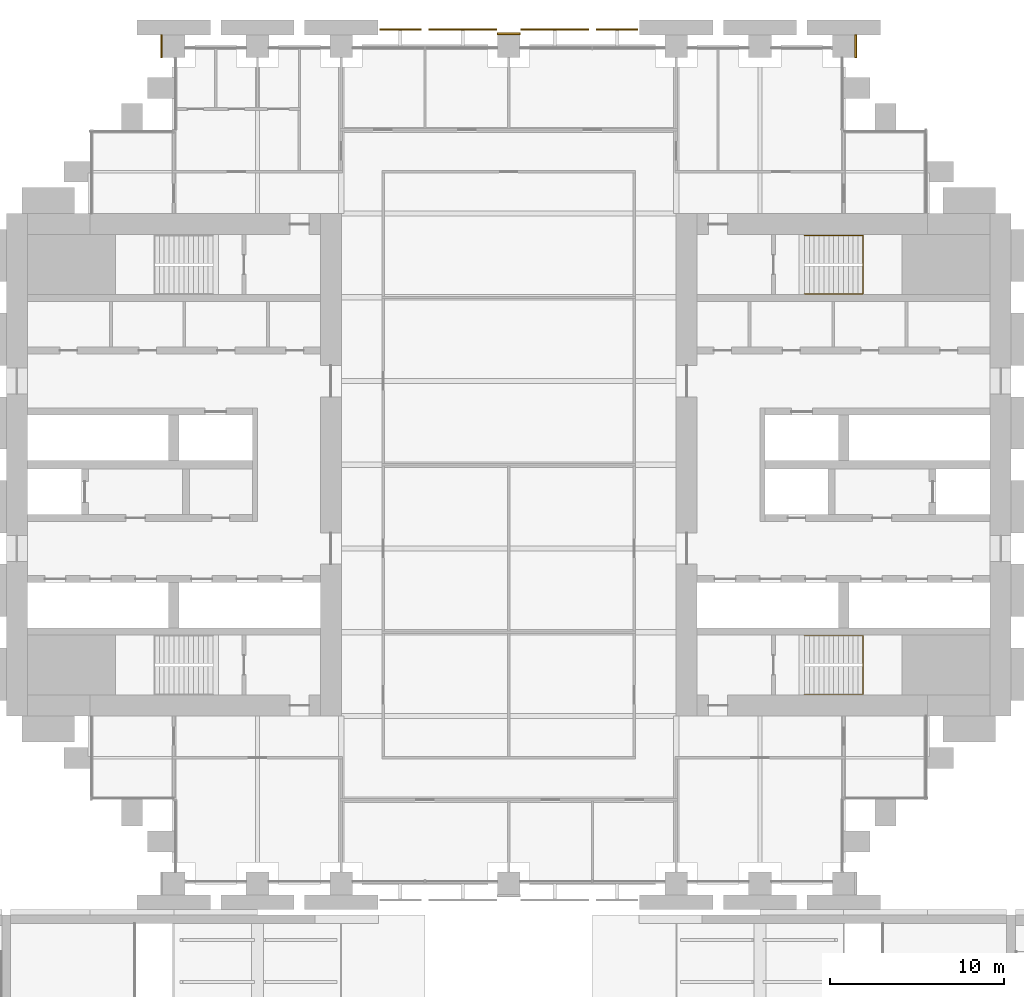
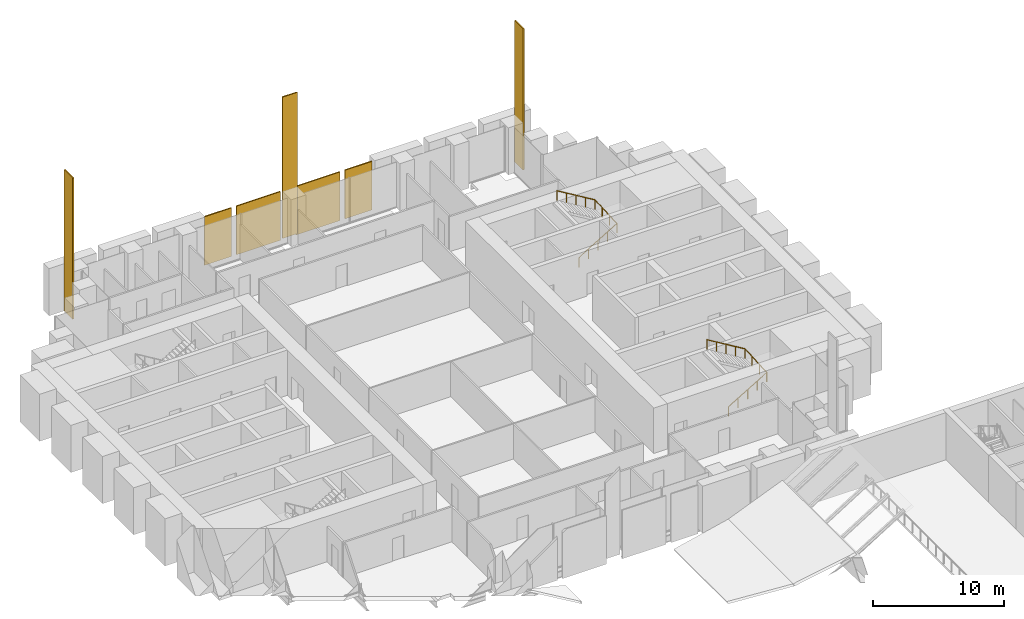
# One storey, part 32 of 32: 7 coverings, 2 railings.
"""IFC4 building model written with IfcOpenShell, lengths in metres."""

import ifcopenshell
import ifcopenshell.guid

model = None  # the IFC model being written
_history = None  # IfcOwnerHistory: only IFC2X3 demands one
_inside = {}  # id of a spatial element -> (the spatial element, [elements in it])
_under = {}  # id of a project, library or spatial element -> (it, [spatial elements below it])
_declared = {}  # id of a project -> (the project, [libraries it declares])
_typed = {}  # id of a type object -> (the type object, [elements of that type])
_made_of = {}  # id of a material, layer set ... -> (it, [elements and type objects made of it])


def new_model(schema):
    """Start an empty IFC model of exactly this schema.

    Asked for "IFC4X3", IfcOpenShell would pick the latest addendum, in which some entities
    have other attributes; the version numbers below select the first issue.
    IFC2X3 requires an IfcOwnerHistory on every rooted entity: one is made here for all.
    """
    global model, _history
    if schema == "IFC4X3":
        model = ifcopenshell.file(schema_version=(4, 3, 0, 0))
    else:
        model = ifcopenshell.file(schema=schema)
    _inside.clear()
    _under.clear()
    _declared.clear()
    _typed.clear()
    _made_of.clear()
    _history = None
    if model.schema == "IFC2X3":
        org = make("IfcOrganization", Name="unknown")
        user = make(
            "IfcPersonAndOrganization",
            ThePerson=make("IfcPerson", FamilyName="unknown"),
            TheOrganization=org,
        )
        app = make(
            "IfcApplication",
            ApplicationDeveloper=org,
            Version="unknown",
            ApplicationFullName="unknown",
            ApplicationIdentifier="unknown",
        )
        _history = make(
            "IfcOwnerHistory",
            OwningUser=user,
            OwningApplication=app,
            ChangeAction="ADDED",
            CreationDate=0,
        )
    return model


def make(cls, **values):
    """One entity of the class cls with the attributes given. An attribute that is None is left unset."""
    return model.create_entity(
        cls, **{name: value for name, value in values.items() if value is not None}
    )


def rooted(cls, **values):
    """An entity with a GlobalId (a new one), such as an element, a storey or a relation."""
    return make(cls, GlobalId=ifcopenshell.guid.new(), OwnerHistory=_history, **values)


def si_unit(unit_type, name, prefix=None):
    """IfcSIUnit, for example si_unit("LENGTHUNIT", "METRE", prefix="MILLI")."""
    return make("IfcSIUnit", UnitType=unit_type, Prefix=prefix, Name=name)


def assignment(units):
    """IfcUnitAssignment: the units of a project."""
    return None if units is None else make("IfcUnitAssignment", Units=units)


def point(xyz):
    """IfcCartesianPoint."""
    return None if xyz is None else make("IfcCartesianPoint", Coordinates=xyz)


def direction(xyz):
    """IfcDirection."""
    return None if xyz is None else make("IfcDirection", DirectionRatios=xyz)


def frame(location, z_axis=None, x_axis=None):
    """IfcAxis2Placement3D, a coordinate frame: its origin and axes. An axis left out is left unset."""
    return make(
        "IfcAxis2Placement3D",
        Location=point(location),
        Axis=direction(z_axis),
        RefDirection=direction(x_axis),
    )


def frame_2d(location, x_axis=None):
    """IfcAxis2Placement2D, a coordinate frame in the plane: its origin and x axis."""
    return make(
        "IfcAxis2Placement2D", Location=point(location), RefDirection=direction(x_axis)
    )


def origin():
    """The frame at (0, 0, 0) with its axes left unset."""
    return frame((0.0, 0.0, 0.0))


def origin_2d():
    """The frame at (0, 0) in the plane with its x axis left unset."""
    return frame_2d((0.0, 0.0))


def place(relative_to, where):
    """IfcLocalPlacement: puts the frame where relative to a parent placement (None: the world)."""
    return make(
        "IfcLocalPlacement", PlacementRelTo=relative_to, RelativePlacement=where
    )


def context(
    kind, dimensions, precision=None, world=None, true_north=None, identifier=None
):
    """IfcGeometricRepresentationContext, for example the 3D "Model" context."""
    return make(
        "IfcGeometricRepresentationContext",
        ContextIdentifier=identifier,
        ContextType=kind,
        CoordinateSpaceDimension=dimensions,
        Precision=precision,
        WorldCoordinateSystem=world,
        TrueNorth=true_north,
    )


def subcontext(parent, identifier, kind, view, scale=None):
    """IfcGeometricRepresentationSubContext, for example "Body" below "Model"."""
    return make(
        "IfcGeometricRepresentationSubContext",
        ContextIdentifier=identifier,
        ContextType=kind,
        ParentContext=parent,
        TargetScale=scale,
        TargetView=view,
    )


def project(units=None, contexts=None):
    """IfcProject with its units and contexts."""
    return rooted(
        "IfcProject",
        Name="project",
        RepresentationContexts=contexts,
        UnitsInContext=assignment(units),
    )


def spatial(cls, under=None, at=None, **own):
    """A site, building, storey or space (cls), placed at a placement, below another one or the project."""
    s = rooted(cls, ObjectPlacement=at, **own)
    if under is not None:
        _under.setdefault(under.id(), (under, []))[1].append(s)
    return s


def polyline(points):
    """IfcPolyline through the points."""
    return make("IfcPolyline", Points=[point(p) for p in points])


def profile(cls, at=None, kind="AREA", **sizes):
    """A parametric profile (cls). Its sizes go by their IFC names, for example OverallWidth=200.0."""
    return make(cls, ProfileType=kind, Position=at, **sizes)


def rectangle(**sizes):
    """IfcRectangleProfileDef."""
    return profile("IfcRectangleProfileDef", **sizes)


def circle(**sizes):
    """IfcCircleProfileDef."""
    return profile("IfcCircleProfileDef", **sizes)


def outline(outer, holes=None, kind="AREA"):
    """IfcArbitraryClosedProfileDef: a profile drawn as a closed curve; with holes, ...WithVoids."""
    if holes is None:
        return make("IfcArbitraryClosedProfileDef", ProfileType=kind, OuterCurve=outer)
    return make(
        "IfcArbitraryProfileDefWithVoids",
        ProfileType=kind,
        OuterCurve=outer,
        InnerCurves=holes,
    )


def extrude(swept, where, along, depth):
    """IfcExtrudedAreaSolid: the profile swept, set in the frame where, extruded along a direction by depth."""
    return make(
        "IfcExtrudedAreaSolid",
        SweptArea=swept,
        Position=where,
        ExtrudedDirection=direction(along),
        Depth=depth,
    )


def shape(context_of_items, identifier, shape_type, items):
    """IfcShapeRepresentation: the items that make up one representation, for example the "Body"."""
    return make(
        "IfcShapeRepresentation",
        ContextOfItems=context_of_items,
        RepresentationIdentifier=identifier,
        RepresentationType=shape_type,
        Items=items,
    )


def material(Name=None, Category=None):
    """IfcMaterial."""
    return make("IfcMaterial", Name=Name, Category=Category)


def layer(
    of_material, thickness, ventilated=None, Name=None, Category=None, Priority=None
):
    """IfcMaterialLayer: one layer of a wall or slab, of a material (None: an air gap)."""
    return make(
        "IfcMaterialLayer",
        Material=of_material,
        LayerThickness=thickness,
        IsVentilated=ventilated,
        Name=Name,
        Category=Category,
        Priority=Priority,
    )


def layer_set(layers, Name=None):
    """IfcMaterialLayerSet."""
    return make("IfcMaterialLayerSet", MaterialLayers=layers, LayerSetName=Name)


def made_of(thing, what):
    """Note that an element or type object is made of a material, layer set ...; save() writes the relation."""
    if what is not None:
        _made_of.setdefault(what.id(), (what, []))[1].append(thing)
    return thing


def type_object(cls, material=None, **own):
    """A type object (cls), such as IfcWallType, which elements share."""
    return made_of(rooted(cls, **own), material)


def element(
    cls,
    number,
    at=None,
    inside=None,
    cuts=None,
    type_object=None,
    material=None,
    context=None,
    identifier="Body",
    shape_type=None,
    held_by="IfcProductDefinitionShape",
    body=None,
    shapes=None,
    **own,
):
    """One element of the class cls, such as IfcWall. Its Tag is "e" and its number.

    at: its placement. inside: the storey or other place that contains it. cuts: it is an
    opening in that element (IfcRelVoidsElement). A single representation is given by context,
    identifier, shape_type and body (its items); several are given by shapes. held_by: the class
    of the entity that holds the representations. save() writes the other relations.
    """
    e = rooted(cls, Tag="e%d" % number, ObjectPlacement=at, **own)
    if body is not None:
        shapes = [shape(context, identifier, shape_type, body)]
    if shapes is not None:
        e.Representation = make(held_by, Representations=shapes)
    if inside is not None:
        _inside.setdefault(inside.id(), (inside, []))[1].append(e)
    if cuts is not None:
        rooted(
            "IfcRelVoidsElement", RelatingBuildingElement=cuts, RelatedOpeningElement=e
        )
    if type_object is not None:
        _typed.setdefault(type_object.id(), (type_object, []))[1].append(e)
    return made_of(e, material)


def aggregate(whole, parts):
    """IfcRelAggregates: a whole, such as a stair, and the parts it consists of."""
    return rooted("IfcRelAggregates", RelatingObject=whole, RelatedObjects=parts)


def save(model, path):
    """Write the relations noted so far, then the file.

    IfcRelAggregates (storeys below a building ...), IfcRelContainedInSpatialStructure (elements
    in a storey), IfcRelDefinesByType, IfcRelAssociatesMaterial and IfcRelDeclares: one each for
    every whole, place, type object, material and project.
    """
    for whole, parts in _under.values():
        aggregate(whole, parts)
    for where, things in _inside.values():
        rooted(
            "IfcRelContainedInSpatialStructure",
            RelatedElements=things,
            RelatingStructure=where,
        )
    for kind, things in _typed.values():
        rooted("IfcRelDefinesByType", RelatedObjects=things, RelatingType=kind)
    for what, things in _made_of.values():
        rooted("IfcRelAssociatesMaterial", RelatedObjects=things, RelatingMaterial=what)
    for by, libraries in _declared.values():
        rooted("IfcRelDeclares", RelatingContext=by, RelatedDefinitions=libraries)
    model.write(path)


model = new_model("IFC4")

# Units and contexts
model_context = context("Model", 3, precision=1e-05, world=origin(), true_north=direction((0.0, 1.0)))
body_context = subcontext(model_context, "Body", "Model", "MODEL_VIEW")
ifc_project = project(units=[si_unit("LENGTHUNIT", "METRE"), si_unit("AREAUNIT", "SQUARE_METRE"), si_unit("VOLUMEUNIT", "CUBIC_METRE"), si_unit("PLANEANGLEUNIT", "RADIAN"), si_unit("MASSUNIT", "GRAM", prefix="KILO")], contexts=[model_context])

# Site, building, storey
site_placement = place(None, origin())
site = spatial("IfcSite", under=ifc_project, at=site_placement, CompositionType="ELEMENT")
building_placement = place(site_placement, origin())
building = spatial("IfcBuilding", under=site, at=building_placement, Name="Baori Bourse Tower", CompositionType="ELEMENT")
storey_placement = place(building_placement, frame((0.0, 0.0, 12.60009765625)))
storey = spatial("IfcBuildingStorey", under=building, at=storey_placement, Name="L01", CompositionType="ELEMENT", Elevation=12.60009765625)

# Railings
ifc_material_1 = material(Name="Powder-coated steel balustrade", Category="steel")
railing_type = type_object("IfcRailingType", Name="Core stair handrail", PredefinedType="HANDRAIL", material=ifc_material_1)
railing_1_placement = place(storey_placement, frame((45.75, 10.85009765625, 0.169189453125)))
element("IfcRailing", 1, at=railing_1_placement, inside=storey, type_object=railing_type, Name="L01 ST3 stair handrail 1", PredefinedType="HANDRAIL", context=body_context, shape_type="SweptSolid", body=[
    extrude(circle(Radius=0.02392578125, at=origin_2d()), frame((0.0, 0.0, 0.8759765625), z_axis=(0.855836976705, 0.0, 0.517245656632), x_axis=(0.0, 1.0, 0.0)), (0.0, 0.0, 1.0), 3.926025390625),
    extrude(circle(Radius=0.02392578125, at=origin_2d()), frame((3.360107421875, 0.0, 2.90673828125), z_axis=(0.0, 0.998726980575, 0.050442227064), x_axis=(-1.0, 0.0, 0.0)), (0.0, 0.0, 1.0), 3.35400390625),
    extrude(circle(Radius=0.02392578125, at=origin_2d()), frame((3.360107421875, 3.349853515625, 3.07568359375), z_axis=(-0.855836976705, 0.0, 0.517245656632), x_axis=(0.0, -1.0, 0.0)), (0.0, 0.0, 1.0), 3.926025390625),
    extrude(circle(Radius=0.02099609375, at=origin_2d()), origin(), (0.0, 0.0, 1.0), 0.851806640625),
    extrude(circle(Radius=0.02099609375, at=origin_2d()), frame((0.840087890625, 0.0, 0.5078125)), (0.0, 0.0, 1.0), 0.851806640625),
    extrude(circle(Radius=0.02099609375, at=origin_2d()), frame((1.68017578125, 0.0, 1.015380859375)), (0.0, 0.0, 1.0), 0.851806640625),
    extrude(circle(Radius=0.02099609375, at=origin_2d()), frame((2.52001953125, 0.0, 1.52294921875)), (0.0, 0.0, 1.0), 0.851806640625),
    extrude(circle(Radius=0.02099609375, at=origin_2d()), frame((3.360107421875, 0.0, 2.03076171875)), (0.0, 0.0, 1.0), 0.851806640625),
    extrude(circle(Radius=0.02099609375, at=origin_2d()), frame((3.360107421875, 1.11669921875, 2.087158203125)), (0.0, 0.0, 1.0), 0.851806640625),
    extrude(circle(Radius=0.02099609375, at=origin_2d()), frame((3.360107421875, 2.233154296875, 2.1435546875)), (0.0, 0.0, 1.0), 0.851806640625),
    extrude(circle(Radius=0.02099609375, at=origin_2d()), frame((3.360107421875, 3.349853515625, 2.199951171875)), (0.0, 0.0, 1.0), 0.851806640625),
    extrude(circle(Radius=0.02099609375, at=origin_2d()), frame((2.52001953125, 3.349853515625, 2.70751953125)), (0.0, 0.0, 1.0), 0.851806640625),
    extrude(circle(Radius=0.02099609375, at=origin_2d()), frame((1.68017578125, 3.349853515625, 3.21533203125)), (0.0, 0.0, 1.0), 0.851806640625),
    extrude(circle(Radius=0.02099609375, at=origin_2d()), frame((0.840087890625, 3.349853515625, 3.72314453125)), (0.0, 0.0, 1.0), 0.851806640625),
    extrude(circle(Radius=0.02099609375, at=origin_2d()), frame((0.0, 3.349853515625, 4.230712890625)), (0.0, 0.0, 1.0), 0.851806640625),
])
railing_2_placement = place(storey_placement, frame((45.75, 33.800048828125, 0.169189453125)))
element("IfcRailing", 2, at=railing_2_placement, inside=storey, type_object=railing_type, Name="L01 ST4 stair handrail 1", PredefinedType="HANDRAIL", context=body_context, shape_type="SweptSolid", body=[
    extrude(circle(Radius=0.02392578125, at=origin_2d()), frame((0.0, 0.0, 0.8759765625), z_axis=(0.855836976705, 0.0, 0.517245656632), x_axis=(0.0, 1.0, 0.0)), (0.0, 0.0, 1.0), 3.926025390625),
    extrude(circle(Radius=0.02392578125, at=origin_2d()), frame((3.360107421875, 0.0, 2.90673828125), z_axis=(0.0, 0.998726980575, 0.050442227064), x_axis=(-1.0, 0.0, 0.0)), (0.0, 0.0, 1.0), 3.35400390625),
    extrude(circle(Radius=0.02392578125, at=origin_2d()), frame((3.360107421875, 3.349853515625, 3.07568359375), z_axis=(-0.855836976705, 0.0, 0.517245656632), x_axis=(0.0, -1.0, 0.0)), (0.0, 0.0, 1.0), 3.926025390625),
    extrude(circle(Radius=0.02099609375, at=origin_2d()), origin(), (0.0, 0.0, 1.0), 0.851806640625),
    extrude(circle(Radius=0.02099609375, at=origin_2d()), frame((0.840087890625, 0.0, 0.5078125)), (0.0, 0.0, 1.0), 0.851806640625),
    extrude(circle(Radius=0.02099609375, at=origin_2d()), frame((1.68017578125, 0.0, 1.015380859375)), (0.0, 0.0, 1.0), 0.851806640625),
    extrude(circle(Radius=0.02099609375, at=origin_2d()), frame((2.52001953125, 0.0, 1.52294921875)), (0.0, 0.0, 1.0), 0.851806640625),
    extrude(circle(Radius=0.02099609375, at=origin_2d()), frame((3.360107421875, 0.0, 2.03076171875)), (0.0, 0.0, 1.0), 0.851806640625),
    extrude(circle(Radius=0.02099609375, at=origin_2d()), frame((3.360107421875, 1.11669921875, 2.087158203125)), (0.0, 0.0, 1.0), 0.851806640625),
    extrude(circle(Radius=0.02099609375, at=origin_2d()), frame((3.360107421875, 2.233154296875, 2.1435546875)), (0.0, 0.0, 1.0), 0.851806640625),
    extrude(circle(Radius=0.02099609375, at=origin_2d()), frame((3.360107421875, 3.349853515625, 2.199951171875)), (0.0, 0.0, 1.0), 0.851806640625),
    extrude(circle(Radius=0.02099609375, at=origin_2d()), frame((2.52001953125, 3.349853515625, 2.70751953125)), (0.0, 0.0, 1.0), 0.851806640625),
    extrude(circle(Radius=0.02099609375, at=origin_2d()), frame((1.68017578125, 3.349853515625, 3.21533203125)), (0.0, 0.0, 1.0), 0.851806640625),
    extrude(circle(Radius=0.02099609375, at=origin_2d()), frame((0.840087890625, 3.349853515625, 3.72314453125)), (0.0, 0.0, 1.0), 0.851806640625),
    extrude(circle(Radius=0.02099609375, at=origin_2d()), frame((0.0, 3.349853515625, 4.230712890625)), (0.0, 0.0, 1.0), 0.851806640625),
])

# Coverings
ifc_material_2 = material(Name="Pale anodised aluminium", Category="aluminium")
ifc_layer_1 = layer(ifc_material_2, 0.10009765625)
ifc_layer_set_1 = layer_set([ifc_layer_1], Name="OS3 Outer skin screen panel")
covering_type_1 = type_object("IfcCoveringType", Name="OS3 Outer skin screen panel", PredefinedType="CLADDING", material=ifc_layer_set_1)
covering_1_placement = place(storey_placement, frame((0.0, 0.0, -0.300048828125)))
element("IfcCovering", 3, at=covering_1_placement, inside=storey, type_object=covering_type_1, Name="Outer skin screen L01 1", PredefinedType="CLADDING", context=body_context, shape_type="SweptSolid", body=[
    extrude(outline(polyline([(33.824951171875, 48.89990234375), (36.199951171875, 48.89990234375), (36.199951171875, 49.0), (33.824951171875, 49.0), (33.824951171875, 48.89990234375)])), origin(), (0.0, 0.0, 1.0), 4.5400390625),
])
covering_2_placement = place(storey_placement, frame((0.0, 0.0, -0.300048828125)))
element("IfcCovering", 4, at=covering_2_placement, inside=storey, type_object=covering_type_1, Name="Outer skin screen L01 2", PredefinedType="CLADDING", context=body_context, shape_type="SweptSolid", body=[
    extrude(outline(polyline([(29.5, 48.89990234375), (33.375, 48.89990234375), (33.375, 49.0), (29.5, 49.0), (29.5, 48.89990234375)])), origin(), (0.0, 0.0, 1.0), 4.5400390625),
])
covering_3_placement = place(storey_placement, frame((0.0, 0.0, -0.300048828125)))
element("IfcCovering", 5, at=covering_3_placement, inside=storey, type_object=covering_type_1, Name="Outer skin screen L01 3", PredefinedType="CLADDING", context=body_context, shape_type="SweptSolid", body=[
    extrude(outline(polyline([(24.22509765625, 48.89990234375), (28.10009765625, 48.89990234375), (28.10009765625, 49.0), (24.22509765625, 49.0), (24.22509765625, 48.89990234375)])), origin(), (0.0, 0.0, 1.0), 4.5400390625),
])
covering_4_placement = place(storey_placement, frame((0.0, 0.0, -0.300048828125)))
element("IfcCovering", 6, at=covering_4_placement, inside=storey, type_object=covering_type_1, Name="Outer skin screen L01 4", PredefinedType="CLADDING", context=body_context, shape_type="SweptSolid", body=[
    extrude(outline(polyline([(21.39990234375, 48.89990234375), (23.77490234375, 48.89990234375), (23.77490234375, 49.0), (21.39990234375, 49.0), (21.39990234375, 48.89990234375)])), origin(), (0.0, 0.0, 1.0), 4.5400390625),
])
ifc_material_3 = material(Name="Face brick", Category="masonry")
ifc_layer_2 = layer(ifc_material_3, 0.110107421875)
ifc_layer_set_2 = layer_set([ifc_layer_2], Name="PC1 Brick pier facing")
covering_type_2 = type_object("IfcCoveringType", Name="PC1 Brick pier facing", PredefinedType="CLADDING", material=ifc_layer_set_2)
covering_5_placement = place(storey_placement, frame((8.89501953125, 48.0, 0.0), z_axis=(0.0, 0.0, 1.0), x_axis=(1.0, 0.0, 0.0)))
element("IfcCovering", 7, at=covering_5_placement, inside=storey, type_object=covering_type_2, Name="Brick pier facing L01 4", PredefinedType="CLADDING", context=body_context, shape_type="SweptSolid", body=[
    extrude(rectangle(XDim=0.110107421875, YDim=1.300048828125, at=origin_2d()), origin(), (0.0, 0.0, 1.0), 13.199951171875),
])
covering_6_placement = place(storey_placement, frame((28.800048828125, 48.705078125, 0.0), z_axis=(0.0, 0.0, 1.0), x_axis=(1.0, 0.0, 0.0)))
element("IfcCovering", 8, at=covering_6_placement, inside=storey, type_object=covering_type_2, Name="Brick pier facing L01 5", PredefinedType="CLADDING", context=body_context, shape_type="SweptSolid", body=[
    extrude(rectangle(XDim=1.300048828125, YDim=0.110107421875, at=origin_2d()), origin(), (0.0, 0.0, 1.0), 13.199951171875),
])
covering_7_placement = place(storey_placement, frame((48.705078125, 48.0, 0.0), z_axis=(0.0, 0.0, 1.0), x_axis=(1.0, 0.0, 0.0)))
element("IfcCovering", 9, at=covering_7_placement, inside=storey, type_object=covering_type_2, Name="Brick pier facing L01 6", PredefinedType="CLADDING", context=body_context, shape_type="SweptSolid", body=[
    extrude(rectangle(XDim=0.110107421875, YDim=1.300048828125, at=origin_2d()), origin(), (0.0, 0.0, 1.0), 13.199951171875),
])

save(model, "model.ifc")
